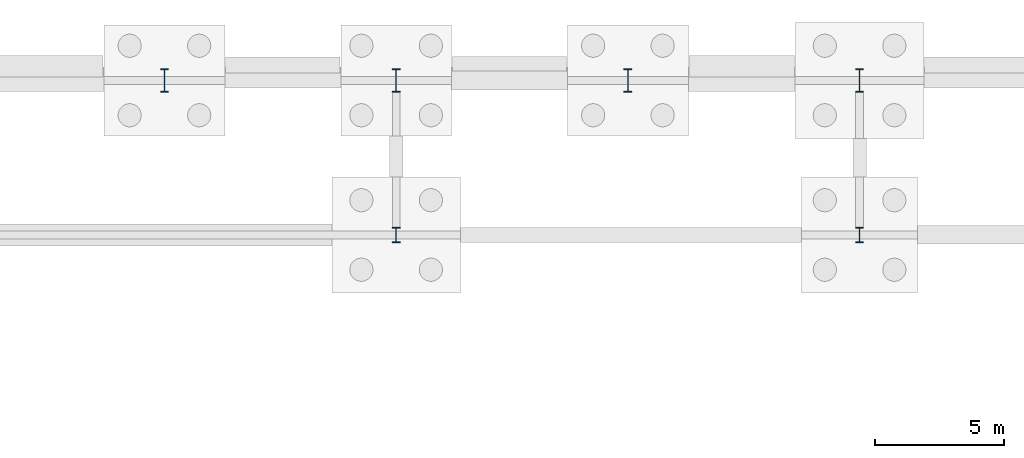
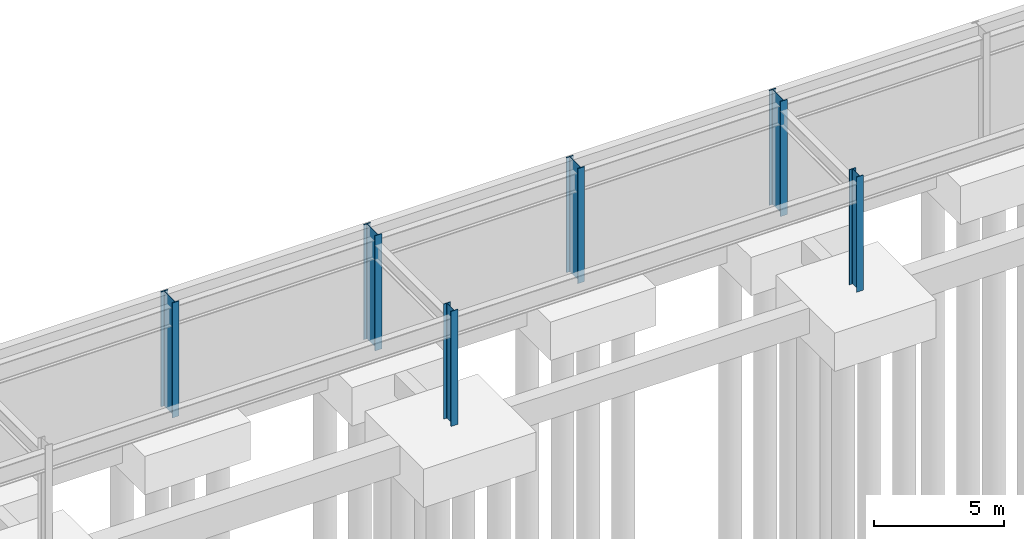
# One storey, part 24 of 65: 6 columns.
"""IFC4 building model written with IfcOpenShell, lengths in metres."""

from ifc_helpers import new_model, si_unit, direction, frame, origin, origin_2d, place, context, subcontext, project, spatial, i_section, extrude, material, material_profile, profile_set, type_object, element, save


model = new_model("IFC4")

# Units and contexts
model_context = context("Model", 3, precision=1e-05, world=origin(), true_north=direction((0.0, 1.0)))
body_context = subcontext(model_context, "Body", "Model", "MODEL_VIEW")
ifc_project = project(units=[si_unit("LENGTHUNIT", "METRE"), si_unit("AREAUNIT", "SQUARE_METRE"), si_unit("VOLUMEUNIT", "CUBIC_METRE"), si_unit("PLANEANGLEUNIT", "RADIAN"), si_unit("MASSUNIT", "GRAM", prefix="KILO")], contexts=[model_context])

# Site, building, storey
site_placement = place(None, origin())
site = spatial("IfcSite", under=ifc_project, at=site_placement, CompositionType="ELEMENT")
building_placement = place(site_placement, origin())
building = spatial("IfcBuilding", under=site, at=building_placement, Name="Kaldris Quays Convention Centre", CompositionType="ELEMENT")
storey_placement = place(building_placement, frame((0.0, 0.0, -5.39990234375)))
storey = spatial("IfcBuildingStorey", under=building, at=storey_placement, Name="B1", CompositionType="ELEMENT", Elevation=-5.39990234375)

# Columns
ifc_material = material(Name="Steel S355J2", Category="steel")
ifc_material_profile_1 = material_profile(ifc_material, i_section(OverallWidth=0.300048828125, OverallDepth=0.89990234375, WebThickness=0.0185546875, FlangeThickness=0.034912109375, FilletRadius=0.030029296875, at=origin_2d()), Name="HEB 900")
ifc_profile_set_1 = profile_set([ifc_material_profile_1], Name="Steel S355J2")
column_type_1 = type_object("IfcColumnType", Name="STRUCTURAL COLUMN CL03", PredefinedType="COLUMN", material=ifc_profile_set_1)
for number, where, z_axis, x_axis, name in (
    (1, (83.0, 140.0, 0.0), (0.0, 0.0, 1.0), (1.0, 0.0, 0.0), "B1 V1 Column CL03 (83.00, 140.00)"),
    (2, (92.0, 140.0, 0.0), (0.0, 0.0, 1.0), (1.0, 0.0, 0.0), "B1 V1 Column CL03 (92.00, 140.00)"),
    (3, (101.0, 140.0, 0.0), (0.0, 0.0, 1.0), (1.0, 0.0, 0.0), "B1 V1 Column CL03 (101.00, 140.00)"),
    (4, (110.0, 140.0, 0.0), (0.0, 0.0, 1.0), (1.0, 0.0, 0.0), "B1 V1 Column CL03 (110.00, 140.00)"),
):
    element("IfcColumn", number, at=place(storey_placement, frame(where, z_axis=z_axis, x_axis=x_axis)), inside=storey, type_object=column_type_1, Name=name, PredefinedType="COLUMN", context=body_context, shape_type="SweptSolid", body=[
        extrude(i_section(OverallWidth=0.300048828125, OverallDepth=0.89990234375, WebThickness=0.0185546875, FlangeThickness=0.034912109375, FilletRadius=0.030029296875, at=origin_2d()), origin(), (0.0, 0.0, 1.0), 5.39990234375),
    ])
ifc_material_profile_2 = material_profile(ifc_material, i_section(OverallWidth=0.300048828125, OverallDepth=0.60009765625, WebThickness=0.015380859375, FlangeThickness=0.030029296875, FilletRadius=0.027099609375, at=origin_2d()), Name="HEB 600")
ifc_profile_set_2 = profile_set([ifc_material_profile_2], Name="Steel S355J2")
column_type_2 = type_object("IfcColumnType", Name="STRUCTURAL COLUMN CL06", PredefinedType="COLUMN", material=ifc_profile_set_2)
for number, where, z_axis, x_axis, name in (
    (5, (92.0, 134.0, 0.0), (0.0, 0.0, 1.0), (1.0, 0.0, 0.0), "B1 V1 Column CL06 (92.00, 134.00)"),
    (6, (110.0, 134.0, 0.0), (0.0, 0.0, 1.0), (1.0, 0.0, 0.0), "B1 V1 Column CL06 (110.00, 134.00)"),
):
    element("IfcColumn", number, at=place(storey_placement, frame(where, z_axis=z_axis, x_axis=x_axis)), inside=storey, type_object=column_type_2, Name=name, PredefinedType="COLUMN", context=body_context, shape_type="SweptSolid", body=[
        extrude(i_section(OverallWidth=0.300048828125, OverallDepth=0.60009765625, WebThickness=0.015380859375, FlangeThickness=0.030029296875, FilletRadius=0.027099609375, at=origin_2d()), origin(), (0.0, 0.0, 1.0), 5.39990234375),
    ])

save(model, "model.ifc")
